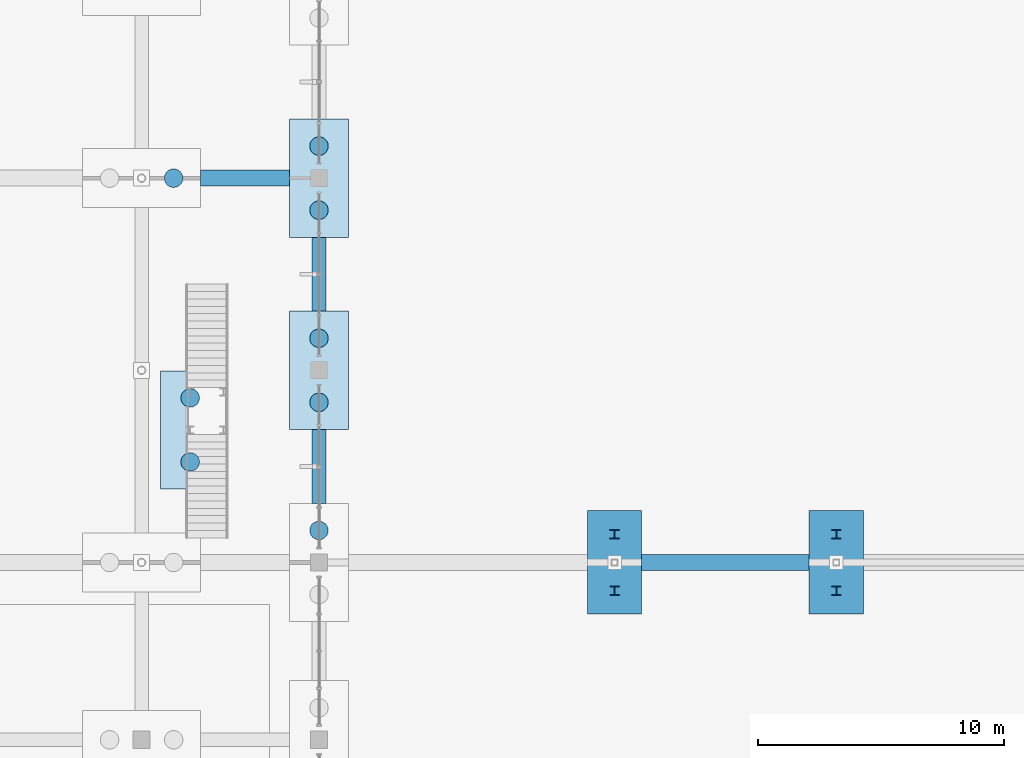
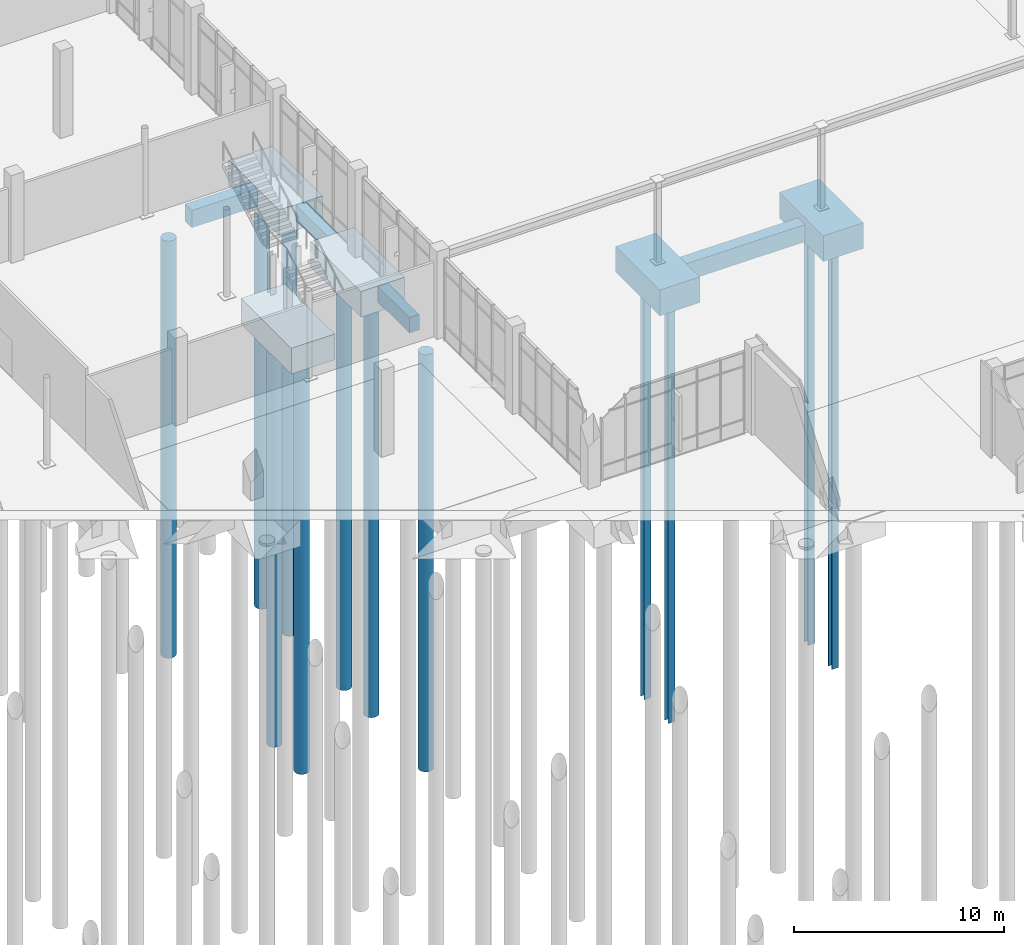
# One storey, part 3 of 94: 12 piles, 9 footings.
"""IFC4 building model written with IfcOpenShell, lengths in metres."""

from ifc_helpers import new_model, si_unit, direction, frame, origin, origin_2d, place, context, subcontext, project, spatial, rectangle, circle, i_section, extrude, material, material_profile, profile_set, type_object, element, save


model = new_model("IFC4")

# Units and contexts
model_context = context("Model", 3, precision=1e-05, world=origin(), true_north=direction((0.0, 1.0)))
body_context = subcontext(model_context, "Body", "Model", "MODEL_VIEW")
ifc_project = project(units=[si_unit("LENGTHUNIT", "METRE"), si_unit("AREAUNIT", "SQUARE_METRE"), si_unit("VOLUMEUNIT", "CUBIC_METRE"), si_unit("PLANEANGLEUNIT", "RADIAN"), si_unit("MASSUNIT", "GRAM", prefix="KILO")], contexts=[model_context])

# Site, building, storey
site_placement = place(None, origin())
site = spatial("IfcSite", under=ifc_project, at=site_placement, CompositionType="ELEMENT")
building_placement = place(site_placement, origin())
building = spatial("IfcBuilding", under=site, at=building_placement, Name="Vervanel Yard Central Library", CompositionType="ELEMENT")
storey_placement = place(building_placement, origin())
storey = spatial("IfcBuildingStorey", under=building, at=storey_placement, Name="L00", CompositionType="ELEMENT", Elevation=0.0)

# Piles
ifc_material_1 = material(Name="Concrete C40/50", Category="concrete")
ifc_material_profile_1 = material_profile(ifc_material_1, circle(Radius=0.375, at=origin_2d()), Name="BP D750", Category="concrete")
ifc_profile_set_1 = profile_set([ifc_material_profile_1], Name="Concrete C40/50")
pile_type_1 = type_object("IfcPileType", Name="Bored Concrete Pile D750", PredefinedType="BORED", material=ifc_profile_set_1)
for number, where, z_axis, x_axis, name in (
    (1, (30.77001953125, 47.280029296875, -1.75), (0.0, 0.0, -1.0), (1.0, 0.0, 0.0), "Bored Concrete Pile 461 under PCAP-128"),
    (2, (30.77001953125, 49.8798828125, -1.75), (0.0, 0.0, -1.0), (1.0, 0.0, 0.0), "Bored Concrete Pile 462 under PCAP-128"),
    (3, (36.0, 44.5, -1.75), (0.0, 0.0, -1.0), (1.0, 0.0, 0.0), "Bored Concrete Pile 474 under PCAP-134"),
    (4, (36.0, 49.699951171875, -1.75), (0.0, 0.0, -1.0), (1.0, 0.0, 0.0), "Bored Concrete Pile 475 under PCAP-135"),
    (5, (36.0, 52.300048828125, -1.75), (0.0, 0.0, -1.0), (1.0, 0.0, 0.0), "Bored Concrete Pile 476 under PCAP-135"),
    (6, (36.0, 57.5, -1.75), (0.0, 0.0, -1.0), (1.0, 0.0, 0.0), "Bored Concrete Pile 477 under PCAP-136"),
    (7, (36.0, 60.10009765625, -1.75), (0.0, 0.0, -1.0), (1.0, 0.0, 0.0), "Bored Concrete Pile 478 under PCAP-136"),
    (8, (30.10009765625, 58.800048828125, -1.75), (0.0, 0.0, -1.0), (1.0, 0.0, 0.0), "Bored Concrete Pile 568 under PCAP-181"),
):
    element("IfcPile", number, at=place(storey_placement, frame(where, z_axis=z_axis, x_axis=x_axis)), inside=storey, type_object=pile_type_1, Name=name, PredefinedType="BORED", context=body_context, shape_type="SweptSolid", body=[
        extrude(circle(Radius=0.375, at=origin_2d()), origin(), (0.0, 0.0, 1.0), 24.25),
    ])

# Footings
footing_type_1 = type_object("IfcFootingType", Name="Bridge Pier 2-Pile Cap 2200x4200x1500", PredefinedType="PILE_CAP", material=ifc_material_1)
for number, where, z_axis, x_axis, name in (
    (9, (48.0, 43.199951171875, -1.50390625), (0.0, 0.0, 1.0), (1.0, 0.0, 0.0), "Combined Pile Cap PCAP-201 (PC-06)"),
    (10, (57.0, 43.199951171875, -1.50390625), (0.0, 0.0, 1.0), (1.0, 0.0, 0.0), "Combined Pile Cap PCAP-202 (PC-06)"),
):
    element("IfcFooting", number, at=place(storey_placement, frame(where, z_axis=z_axis, x_axis=x_axis)), inside=storey, type_object=footing_type_1, Name=name, PredefinedType="PILE_CAP", context=body_context, shape_type="SweptSolid", body=[
        extrude(rectangle(XDim=2.199951171875, YDim=4.199951171875, at=origin_2d()), origin(), (0.0, 0.0, 1.0), 1.5),
    ])
footing_type_2 = type_object("IfcFootingType", Name="Combined 2-Pile Cap 2400x4800x1500", PredefinedType="PILE_CAP", material=ifc_material_1)
for number, where, z_axis, x_axis, name in (
    (11, (30.77001953125, 48.580078125, -1.89990234375), (0.0, 0.0, 1.0), (1.0, 0.0, 0.0), "Combined Pile Cap PCAP-128 (PC-01)"),
    (12, (36.0, 51.0, -1.89990234375), (0.0, 0.0, 1.0), (1.0, 0.0, 0.0), "Combined Pile Cap PCAP-135 (PC-01)"),
    (13, (36.0, 58.800048828125, -1.89990234375), (0.0, 0.0, 1.0), (1.0, 0.0, 0.0), "Combined Pile Cap PCAP-136 (PC-01)"),
):
    element("IfcFooting", number, at=place(storey_placement, frame(where, z_axis=z_axis, x_axis=x_axis)), inside=storey, type_object=footing_type_2, Name=name, PredefinedType="PILE_CAP", context=body_context, shape_type="SweptSolid", body=[
        extrude(rectangle(XDim=2.39990234375, YDim=4.800048828125, at=origin_2d()), origin(), (0.0, 0.0, 1.0), 1.5),
    ])
ifc_material_profile_2 = material_profile(ifc_material_1, rectangle(XDim=0.550048828125, YDim=0.89990234375, at=origin_2d()), Name="RC 550x900", Category="concrete")
ifc_profile_set_2 = profile_set([ifc_material_profile_2], Name="Concrete C40/50")
footing_type_3 = type_object("IfcFootingType", Name="Concrete Footing Beam 550x900", PredefinedType="FOOTING_BEAM", material=ifc_profile_set_2)
for number, where, z_axis, x_axis, name in (
    (14, (36.0, 45.60009765625, -0.8701171875), (0.0, 1.0, 0.0), (-1.0, 0.0, 0.0), "Concrete Footing Beam FB-Y-189"),
    (15, (36.0, 53.39990234375, -0.8701171875), (0.0, 1.0, 0.0), (-1.0, 0.0, 0.0), "Concrete Footing Beam FB-Y-190"),
):
    element("IfcFooting", number, at=place(storey_placement, frame(where, z_axis=z_axis, x_axis=x_axis)), inside=storey, type_object=footing_type_3, Name=name, PredefinedType="FOOTING_BEAM", context=body_context, shape_type="SweptSolid", body=[
        extrude(rectangle(XDim=0.550048828125, YDim=0.89990234375, at=origin_2d()), origin(), (0.0, 0.0, 1.0), 3.0),
    ])
ifc_material_profile_3 = material_profile(ifc_material_1, rectangle(XDim=0.64990234375, YDim=1.0, at=origin_2d()), Name="RC 650x1000", Category="concrete")
ifc_profile_set_3 = profile_set([ifc_material_profile_3], Name="Concrete C40/50")
footing_type_4 = type_object("IfcFootingType", Name="Concrete Footing Beam 650x1000", PredefinedType="FOOTING_BEAM", material=ifc_profile_set_3)
footing_1_placement = place(storey_placement, frame((49.10009765625, 43.199951171875, -0.919921875), z_axis=(1.0, 0.0, 0.0), x_axis=(0.0, 1.0, 0.0)))
element("IfcFooting", 16, at=footing_1_placement, inside=storey, type_object=footing_type_4, Name="Concrete Footing Beam FB-X-047", PredefinedType="FOOTING_BEAM", context=body_context, shape_type="SweptSolid", body=[
    extrude(rectangle(XDim=0.64990234375, YDim=1.0, at=origin_2d()), origin(), (0.0, 0.0, 1.0), 6.7998046875),
])
footing_2_placement = place(storey_placement, frame((31.199951171875, 58.800048828125, -0.919921875), z_axis=(1.0, 0.0, 0.0), x_axis=(0.0, 1.0, 0.0)))
element("IfcFooting", 17, at=footing_2_placement, inside=storey, type_object=footing_type_4, Name="Concrete Footing Beam FB-X-061", PredefinedType="FOOTING_BEAM", context=body_context, shape_type="SweptSolid", body=[
    extrude(rectangle(XDim=0.64990234375, YDim=1.0, at=origin_2d()), origin(), (0.0, 0.0, 1.0), 3.60009765625),
])

# Piles
ifc_material_2 = material(Name="Steel ASTM A992 Grade 50", Category="steel")
ifc_material_profile_4 = material_profile(ifc_material_2, i_section(OverallWidth=0.37841796875, OverallDepth=0.360595703125, WebThickness=0.0205078125, FlangeThickness=0.0205078125, at=origin_2d()), Name="HP14X117", Category="steel")
ifc_profile_set_4 = profile_set([ifc_material_profile_4], Name="Steel ASTM A992 Grade 50")
pile_type_2 = type_object("IfcPileType", Name="Driven Steel H-Pile HP14X117", PredefinedType="DRIVEN", material=ifc_profile_set_4)
for number, where, z_axis, x_axis, name in (
    (18, (48.0, 44.35009765625, -26.0), (0.0, 0.0, 1.0), (1.0, 0.0, 0.0), "Driven Steel Pile 608 under PCAP-201"),
    (19, (57.0, 44.35009765625, -26.0), (0.0, 0.0, 1.0), (1.0, 0.0, 0.0), "Driven Steel Pile 610 under PCAP-202"),
):
    element("IfcPile", number, at=place(storey_placement, frame(where, z_axis=z_axis, x_axis=x_axis)), inside=storey, type_object=pile_type_2, Name=name, PredefinedType="DRIVEN", context=body_context, shape_type="SweptSolid", body=[
        extrude(i_section(OverallWidth=0.37841796875, OverallDepth=0.360595703125, WebThickness=0.0205078125, FlangeThickness=0.0205078125, at=origin_2d()), origin(), (0.0, 0.0, 1.0), 24.64599609375),
    ])
ifc_material_profile_5 = material_profile(ifc_material_2, i_section(OverallWidth=0.373291015625, OverallDepth=0.3505859375, WebThickness=0.015625, FlangeThickness=0.015625, at=origin_2d()), Name="HP14X89", Category="steel")
ifc_profile_set_5 = profile_set([ifc_material_profile_5], Name="Steel ASTM A992 Grade 50")
pile_type_3 = type_object("IfcPileType", Name="Driven Steel H-Pile HP14X89", PredefinedType="DRIVEN", material=ifc_profile_set_5)
for number, where, z_axis, x_axis, name in (
    (20, (48.0, 42.050048828125, -26.0), (0.0, 0.0, 1.0), (1.0, 0.0, 0.0), "Driven Steel Pile 607 under PCAP-201"),
    (21, (57.0, 42.050048828125, -26.0), (0.0, 0.0, 1.0), (1.0, 0.0, 0.0), "Driven Steel Pile 609 under PCAP-202"),
):
    element("IfcPile", number, at=place(storey_placement, frame(where, z_axis=z_axis, x_axis=x_axis)), inside=storey, type_object=pile_type_3, Name=name, PredefinedType="DRIVEN", context=body_context, shape_type="SweptSolid", body=[
        extrude(i_section(OverallWidth=0.373291015625, OverallDepth=0.3505859375, WebThickness=0.015625, FlangeThickness=0.015625, at=origin_2d()), origin(), (0.0, 0.0, 1.0), 24.64599609375),
    ])

save(model, "model.ifc")
